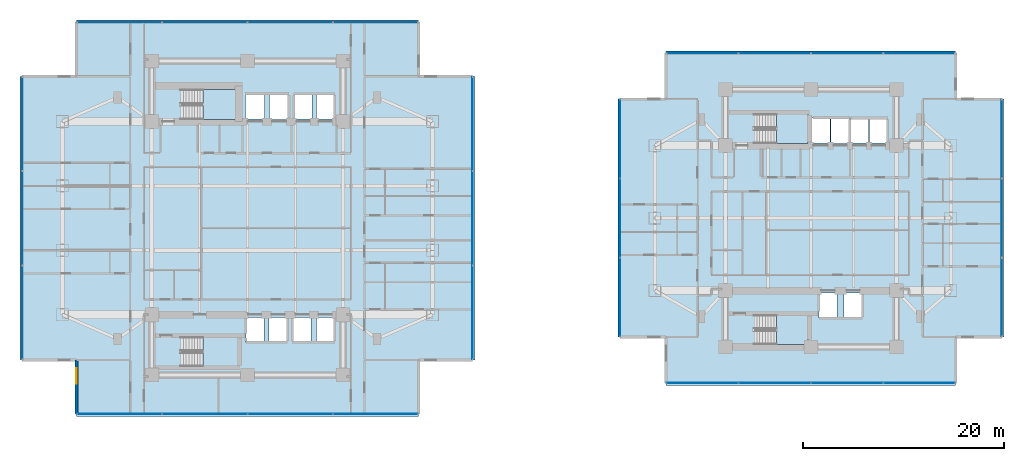
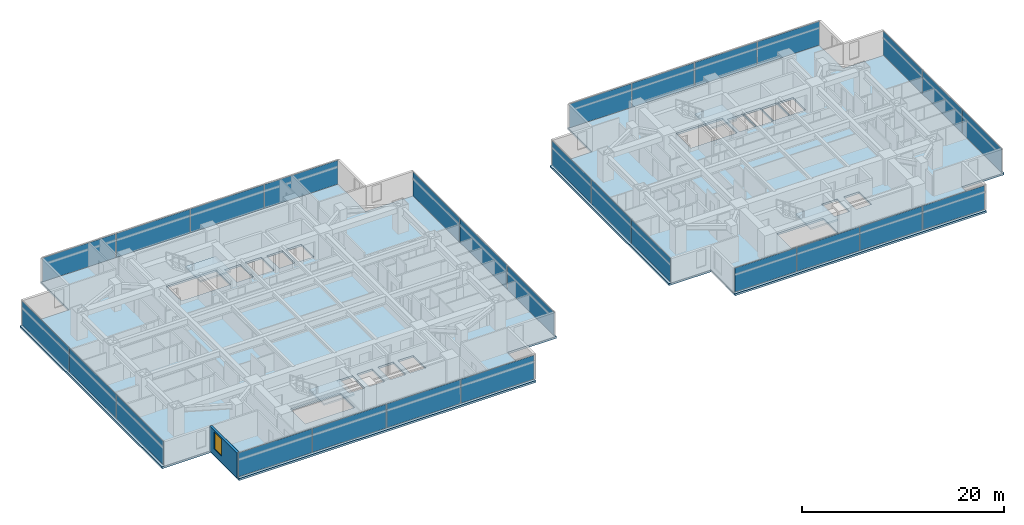
# One storey, part 13 of 26: 28 plates, 6 slabs, 1 wall, 1 window, 1 opening, 12 elements without a shape of their own.
"""IFC4 building model written with IfcOpenShell, lengths in metres."""

from ifc_helpers import new_model, si_unit, direction, frame, frame_2d, origin, origin_2d, place, context, subcontext, project, spatial, polyline, rectangle, outline, extrude, material, layer, layer_set, type_object, element, fill, aggregate, save


model = new_model("IFC4")

# Units and contexts
model_context = context("Model", 3, precision=1e-05, world=origin(), true_north=direction((0.0, 1.0)))
body_context = subcontext(model_context, "Body", "Model", "MODEL_VIEW")
ifc_project = project(units=[si_unit("LENGTHUNIT", "METRE"), si_unit("AREAUNIT", "SQUARE_METRE"), si_unit("VOLUMEUNIT", "CUBIC_METRE"), si_unit("PLANEANGLEUNIT", "RADIAN"), si_unit("MASSUNIT", "GRAM", prefix="KILO")], contexts=[model_context])

# Site, building, storey
site_placement = place(None, origin())
site = spatial("IfcSite", under=ifc_project, at=site_placement, CompositionType="ELEMENT")
building_placement = place(site_placement, origin())
building = spatial("IfcBuilding", under=site, at=building_placement, Name="Mirazonda Arch Towers", CompositionType="ELEMENT")
storey_placement = place(building_placement, frame((0.0, 0.0, 38.89990234375)))
storey = spatial("IfcBuildingStorey", under=building, at=storey_placement, Name="L10", CompositionType="ELEMENT", Elevation=38.89990234375)

# Curtain wall, plates
ifc_material_1 = material(Name="Anodised Aluminium and Low-E Glass", Category="aluminium")
curtain_wall_type = type_object("IfcCurtainWallType", Name="CW-HTL-UNIT", PredefinedType="NOTDEFINED", material=ifc_material_1)
curtain_wall_1_placement = place(storey_placement, origin())
curtain_wall_1 = element("IfcCurtainWall", 1, at=curtain_wall_1_placement, inside=storey, type_object=curtain_wall_type, Name="L10 T1 S Facade CW-L10-T1-S", PredefinedType="NOTDEFINED")
ifc_material_2 = material(Name="Insulated Low-E Solar Glass", Category="glass")
ifc_layer_1 = layer(ifc_material_2, 0.035888671875, Name="PAN-CW-HTL-UNIT")
ifc_layer_set_1 = layer_set([ifc_layer_1], Name="Insulated Low-E Solar Glass")
plate_type = type_object("IfcPlateType", Name="PAN-CW-HTL-UNIT", PredefinedType="CURTAIN_PANEL", material=ifc_layer_set_1)
plate_1_placement = place(storey_placement, frame((33.231201171875, 8.530029296875, 0.0751953125), z_axis=(0.0, 0.0, 1.0), x_axis=(-1.0, 0.0, 0.0)))
plate_1 = element("IfcPlate", 2, at=plate_1_placement, type_object=plate_type, Name="CW-112 panel 1.1", PredefinedType="CURTAIN_PANEL", context=body_context, shape_type="SweptSolid", body=[
    extrude(rectangle(XDim=8.387451171875, YDim=0.035888671875, at=origin_2d()), origin(), (0.0, 0.0, 1.0), 2.889892578125),
])
plate_2_placement = place(storey_placement, frame((24.75, 8.530029296875, 0.0751953125), z_axis=(0.0, 0.0, 1.0), x_axis=(-1.0, 0.0, 0.0)))
plate_2 = element("IfcPlate", 3, at=plate_2_placement, type_object=plate_type, Name="CW-112 panel 2.1", PredefinedType="CURTAIN_PANEL", context=body_context, shape_type="SweptSolid", body=[
    extrude(rectangle(XDim=8.425048828125, YDim=0.035888671875, at=origin_2d()), origin(), (0.0, 0.0, 1.0), 2.889892578125),
])
plate_3_placement = place(storey_placement, frame((16.25, 8.530029296875, 0.0751953125), z_axis=(0.0, 0.0, 1.0), x_axis=(-1.0, 0.0, 0.0)))
plate_3 = element("IfcPlate", 4, at=plate_3_placement, type_object=plate_type, Name="CW-112 panel 3.1", PredefinedType="CURTAIN_PANEL", context=body_context, shape_type="SweptSolid", body=[
    extrude(rectangle(XDim=8.425048828125, YDim=0.035888671875, at=origin_2d()), origin(), (0.0, 0.0, 1.0), 2.889892578125),
])
plate_4_placement = place(storey_placement, frame((7.768798828125, 8.530029296875, 0.0751953125), z_axis=(0.0, 0.0, 1.0), x_axis=(-1.0, 0.0, 0.0)))
plate_4 = element("IfcPlate", 5, at=plate_4_placement, type_object=plate_type, Name="CW-112 panel 4.1", PredefinedType="CURTAIN_PANEL", context=body_context, shape_type="SweptSolid", body=[
    extrude(rectangle(XDim=8.387451171875, YDim=0.035888671875, at=origin_2d()), origin(), (0.0, 0.0, 1.0), 2.889892578125),
])
aggregate(curtain_wall_1, [plate_1, plate_2, plate_3, plate_4])

curtain_wall_2_placement = place(storey_placement, origin())
curtain_wall_2 = element("IfcCurtainWall", 6, at=curtain_wall_2_placement, inside=storey, type_object=curtain_wall_type, Name="L10 T1 E Facade CW-L10-T1-E", PredefinedType="NOTDEFINED")
plate_5_placement = place(storey_placement, frame((42.8798828125, 18.62548828125, 0.0751953125), z_axis=(0.0, 0.0, 1.0), x_axis=(0.0, 1.0, 0.0)))
plate_5 = element("IfcPlate", 7, at=plate_5_placement, type_object=plate_type, Name="CW-112 panel 1.1", PredefinedType="CURTAIN_PANEL", context=body_context, shape_type="SweptSolid", body=[
    extrude(rectangle(XDim=9.28076171875, YDim=0.035888671875, at=origin_2d()), origin(), (0.0, 0.0, 1.0), 2.889892578125),
])
plate_6_placement = place(storey_placement, frame((42.8798828125, 28.0, 0.0751953125), z_axis=(0.0, 0.0, 1.0), x_axis=(0.0, 1.0, 0.0)))
plate_6 = element("IfcPlate", 8, at=plate_6_placement, type_object=plate_type, Name="CW-112 panel 2.1", PredefinedType="CURTAIN_PANEL", context=body_context, shape_type="SweptSolid", body=[
    extrude(rectangle(XDim=9.318359375, YDim=0.035888671875, at=origin_2d()), origin(), (0.0, 0.0, 1.0), 2.889892578125),
])
plate_7_placement = place(storey_placement, frame((42.8798828125, 37.37451171875, 0.0751953125), z_axis=(0.0, 0.0, 1.0), x_axis=(0.0, 1.0, 0.0)))
plate_7 = element("IfcPlate", 9, at=plate_7_placement, type_object=plate_type, Name="CW-112 panel 3.1", PredefinedType="CURTAIN_PANEL", context=body_context, shape_type="SweptSolid", body=[
    extrude(rectangle(XDim=9.28076171875, YDim=0.035888671875, at=origin_2d()), origin(), (0.0, 0.0, 1.0), 2.889892578125),
])
aggregate(curtain_wall_2, [plate_5, plate_6, plate_7])

curtain_wall_3_placement = place(storey_placement, origin())
curtain_wall_3 = element("IfcCurtainWall", 10, at=curtain_wall_3_placement, inside=storey, type_object=curtain_wall_type, Name="L10 T1 N Facade CW-L10-T1-N", PredefinedType="NOTDEFINED")
plate_8_placement = place(storey_placement, frame((7.768798828125, 47.469970703125, 0.0751953125), z_axis=(0.0, 0.0, 1.0), x_axis=(1.0, 0.0, 0.0)))
plate_8 = element("IfcPlate", 11, at=plate_8_placement, type_object=plate_type, Name="CW-112 panel 1.1", PredefinedType="CURTAIN_PANEL", context=body_context, shape_type="SweptSolid", body=[
    extrude(rectangle(XDim=8.387451171875, YDim=0.035888671875, at=origin_2d()), origin(), (0.0, 0.0, 1.0), 2.889892578125),
])
plate_9_placement = place(storey_placement, frame((16.25, 47.469970703125, 0.0751953125), z_axis=(0.0, 0.0, 1.0), x_axis=(1.0, 0.0, 0.0)))
plate_9 = element("IfcPlate", 12, at=plate_9_placement, type_object=plate_type, Name="CW-112 panel 2.1", PredefinedType="CURTAIN_PANEL", context=body_context, shape_type="SweptSolid", body=[
    extrude(rectangle(XDim=8.425048828125, YDim=0.035888671875, at=origin_2d()), origin(), (0.0, 0.0, 1.0), 2.889892578125),
])
plate_10_placement = place(storey_placement, frame((24.75, 47.469970703125, 0.0751953125), z_axis=(0.0, 0.0, 1.0), x_axis=(1.0, 0.0, 0.0)))
plate_10 = element("IfcPlate", 13, at=plate_10_placement, type_object=plate_type, Name="CW-112 panel 3.1", PredefinedType="CURTAIN_PANEL", context=body_context, shape_type="SweptSolid", body=[
    extrude(rectangle(XDim=8.425048828125, YDim=0.035888671875, at=origin_2d()), origin(), (0.0, 0.0, 1.0), 2.889892578125),
])
plate_11_placement = place(storey_placement, frame((33.231201171875, 47.469970703125, 0.0751953125), z_axis=(0.0, 0.0, 1.0), x_axis=(1.0, 0.0, 0.0)))
plate_11 = element("IfcPlate", 14, at=plate_11_placement, type_object=plate_type, Name="CW-112 panel 4.1", PredefinedType="CURTAIN_PANEL", context=body_context, shape_type="SweptSolid", body=[
    extrude(rectangle(XDim=8.387451171875, YDim=0.035888671875, at=origin_2d()), origin(), (0.0, 0.0, 1.0), 2.889892578125),
])
aggregate(curtain_wall_3, [plate_8, plate_9, plate_10, plate_11])

curtain_wall_4_placement = place(storey_placement, origin())
curtain_wall_4 = element("IfcCurtainWall", 15, at=curtain_wall_4_placement, inside=storey, type_object=curtain_wall_type, Name="L10 T1 W Facade CW-L10-T1-W", PredefinedType="NOTDEFINED")
plate_12_placement = place(storey_placement, frame((-1.8798828125, 37.37451171875, 0.0751953125), z_axis=(0.0, 0.0, 1.0), x_axis=(0.0, -1.0, 0.0)))
plate_12 = element("IfcPlate", 16, at=plate_12_placement, type_object=plate_type, Name="CW-112 panel 1.1", PredefinedType="CURTAIN_PANEL", context=body_context, shape_type="SweptSolid", body=[
    extrude(rectangle(XDim=9.28076171875, YDim=0.035888671875, at=origin_2d()), origin(), (0.0, 0.0, 1.0), 2.889892578125),
])
plate_13_placement = place(storey_placement, frame((-1.8798828125, 28.0, 0.0751953125), z_axis=(0.0, 0.0, 1.0), x_axis=(0.0, -1.0, 0.0)))
plate_13 = element("IfcPlate", 17, at=plate_13_placement, type_object=plate_type, Name="CW-112 panel 2.1", PredefinedType="CURTAIN_PANEL", context=body_context, shape_type="SweptSolid", body=[
    extrude(rectangle(XDim=9.318359375, YDim=0.035888671875, at=origin_2d()), origin(), (0.0, 0.0, 1.0), 2.889892578125),
])
plate_14_placement = place(storey_placement, frame((-1.8798828125, 18.62548828125, 0.0751953125), z_axis=(0.0, 0.0, 1.0), x_axis=(0.0, -1.0, 0.0)))
plate_14 = element("IfcPlate", 18, at=plate_14_placement, type_object=plate_type, Name="CW-112 panel 3.1", PredefinedType="CURTAIN_PANEL", context=body_context, shape_type="SweptSolid", body=[
    extrude(rectangle(XDim=9.28076171875, YDim=0.035888671875, at=origin_2d()), origin(), (0.0, 0.0, 1.0), 2.889892578125),
])
aggregate(curtain_wall_4, [plate_12, plate_13, plate_14])

curtain_wall_5_placement = place(storey_placement, origin())
curtain_wall_5 = element("IfcCurtainWall", 19, at=curtain_wall_5_placement, inside=storey, type_object=curtain_wall_type, Name="L10 T2 S Facade CW-L10-T2-S", PredefinedType="NOTDEFINED")
plate_15_placement = place(storey_placement, frame((87.273681640625, 11.603515625, 0.0751953125), z_axis=(0.0, 0.0, 1.0), x_axis=(-1.0, 0.0, 0.0)))
plate_15 = element("IfcPlate", 20, at=plate_15_placement, type_object=plate_type, Name="CW-112 panel 1.1", PredefinedType="CURTAIN_PANEL", context=body_context, shape_type="SweptSolid", body=[
    extrude(rectangle(XDim=7.08251953125, YDim=0.035888671875, at=origin_2d()), origin(), (0.0, 0.0, 1.0), 2.889892578125),
])
plate_16_placement = place(storey_placement, frame((80.097412109375, 11.603515625, 0.0751953125), z_axis=(0.0, 0.0, 1.0), x_axis=(-1.0, 0.0, 0.0)))
plate_16 = element("IfcPlate", 21, at=plate_16_placement, type_object=plate_type, Name="CW-112 panel 2.1", PredefinedType="CURTAIN_PANEL", context=body_context, shape_type="SweptSolid", body=[
    extrude(rectangle(XDim=7.1201171875, YDim=0.035888671875, at=origin_2d()), origin(), (0.0, 0.0, 1.0), 2.889892578125),
])
plate_17_placement = place(storey_placement, frame((72.902587890625, 11.603515625, 0.0751953125), z_axis=(0.0, 0.0, 1.0), x_axis=(-1.0, 0.0, 0.0)))
plate_17 = element("IfcPlate", 22, at=plate_17_placement, type_object=plate_type, Name="CW-112 panel 3.1", PredefinedType="CURTAIN_PANEL", context=body_context, shape_type="SweptSolid", body=[
    extrude(rectangle(XDim=7.1201171875, YDim=0.035888671875, at=origin_2d()), origin(), (0.0, 0.0, 1.0), 2.889892578125),
])
plate_18_placement = place(storey_placement, frame((65.726318359375, 11.603515625, 0.0751953125), z_axis=(0.0, 0.0, 1.0), x_axis=(-1.0, 0.0, 0.0)))
plate_18 = element("IfcPlate", 23, at=plate_18_placement, type_object=plate_type, Name="CW-112 panel 4.1", PredefinedType="CURTAIN_PANEL", context=body_context, shape_type="SweptSolid", body=[
    extrude(rectangle(XDim=7.08251953125, YDim=0.035888671875, at=origin_2d()), origin(), (0.0, 0.0, 1.0), 2.889892578125),
])
aggregate(curtain_wall_5, [plate_15, plate_16, plate_17, plate_18])

curtain_wall_6_placement = place(storey_placement, origin())
curtain_wall_6 = element("IfcCurtainWall", 24, at=curtain_wall_6_placement, inside=storey, type_object=curtain_wall_type, Name="L10 T2 E Facade CW-L10-T2-E", PredefinedType="NOTDEFINED")
plate_19_placement = place(storey_placement, frame((95.469970703125, 20.14111328125, 0.0751953125), z_axis=(0.0, 0.0, 1.0), x_axis=(0.0, 1.0, 0.0)))
plate_19 = element("IfcPlate", 25, at=plate_19_placement, type_object=plate_type, Name="CW-112 panel 1.1", PredefinedType="CURTAIN_PANEL", context=body_context, shape_type="SweptSolid", body=[
    extrude(rectangle(XDim=7.76513671875, YDim=0.035888671875, at=origin_2d()), origin(), (0.0, 0.0, 1.0), 2.889892578125),
])
plate_20_placement = place(storey_placement, frame((95.469970703125, 28.0, 0.0751953125), z_axis=(0.0, 0.0, 1.0), x_axis=(0.0, 1.0, 0.0)))
plate_20 = element("IfcPlate", 26, at=plate_20_placement, type_object=plate_type, Name="CW-112 panel 2.1", PredefinedType="CURTAIN_PANEL", context=body_context, shape_type="SweptSolid", body=[
    extrude(rectangle(XDim=7.802734375, YDim=0.035888671875, at=origin_2d()), origin(), (0.0, 0.0, 1.0), 2.889892578125),
])
plate_21_placement = place(storey_placement, frame((95.469970703125, 35.85888671875, 0.0751953125), z_axis=(0.0, 0.0, 1.0), x_axis=(0.0, 1.0, 0.0)))
plate_21 = element("IfcPlate", 27, at=plate_21_placement, type_object=plate_type, Name="CW-112 panel 3.1", PredefinedType="CURTAIN_PANEL", context=body_context, shape_type="SweptSolid", body=[
    extrude(rectangle(XDim=7.76513671875, YDim=0.035888671875, at=origin_2d()), origin(), (0.0, 0.0, 1.0), 2.889892578125),
])
aggregate(curtain_wall_6, [plate_19, plate_20, plate_21])

curtain_wall_7_placement = place(storey_placement, origin())
curtain_wall_7 = element("IfcCurtainWall", 28, at=curtain_wall_7_placement, inside=storey, type_object=curtain_wall_type, Name="L10 T2 N Facade CW-L10-T2-N", PredefinedType="NOTDEFINED")
plate_22_placement = place(storey_placement, frame((65.726318359375, 44.396484375, 0.0751953125), z_axis=(0.0, 0.0, 1.0), x_axis=(1.0, 0.0, 0.0)))
plate_22 = element("IfcPlate", 29, at=plate_22_placement, type_object=plate_type, Name="CW-112 panel 1.1", PredefinedType="CURTAIN_PANEL", context=body_context, shape_type="SweptSolid", body=[
    extrude(rectangle(XDim=7.08251953125, YDim=0.035888671875, at=origin_2d()), origin(), (0.0, 0.0, 1.0), 2.889892578125),
])
plate_23_placement = place(storey_placement, frame((72.902587890625, 44.396484375, 0.0751953125), z_axis=(0.0, 0.0, 1.0), x_axis=(1.0, 0.0, 0.0)))
plate_23 = element("IfcPlate", 30, at=plate_23_placement, type_object=plate_type, Name="CW-112 panel 2.1", PredefinedType="CURTAIN_PANEL", context=body_context, shape_type="SweptSolid", body=[
    extrude(rectangle(XDim=7.1201171875, YDim=0.035888671875, at=origin_2d()), origin(), (0.0, 0.0, 1.0), 2.889892578125),
])
plate_24_placement = place(storey_placement, frame((80.097412109375, 44.396484375, 0.0751953125), z_axis=(0.0, 0.0, 1.0), x_axis=(1.0, 0.0, 0.0)))
plate_24 = element("IfcPlate", 31, at=plate_24_placement, type_object=plate_type, Name="CW-112 panel 3.1", PredefinedType="CURTAIN_PANEL", context=body_context, shape_type="SweptSolid", body=[
    extrude(rectangle(XDim=7.1201171875, YDim=0.035888671875, at=origin_2d()), origin(), (0.0, 0.0, 1.0), 2.889892578125),
])
plate_25_placement = place(storey_placement, frame((87.273681640625, 44.396484375, 0.0751953125), z_axis=(0.0, 0.0, 1.0), x_axis=(1.0, 0.0, 0.0)))
plate_25 = element("IfcPlate", 32, at=plate_25_placement, type_object=plate_type, Name="CW-112 panel 4.1", PredefinedType="CURTAIN_PANEL", context=body_context, shape_type="SweptSolid", body=[
    extrude(rectangle(XDim=7.08251953125, YDim=0.035888671875, at=origin_2d()), origin(), (0.0, 0.0, 1.0), 2.889892578125),
])
aggregate(curtain_wall_7, [plate_22, plate_23, plate_24, plate_25])

curtain_wall_8_placement = place(storey_placement, origin())
curtain_wall_8 = element("IfcCurtainWall", 33, at=curtain_wall_8_placement, inside=storey, type_object=curtain_wall_type, Name="L10 T2 W Facade CW-L10-T2-W", PredefinedType="NOTDEFINED")
plate_26_placement = place(storey_placement, frame((57.530029296875, 35.85888671875, 0.0751953125), z_axis=(0.0, 0.0, 1.0), x_axis=(0.0, -1.0, 0.0)))
plate_26 = element("IfcPlate", 34, at=plate_26_placement, type_object=plate_type, Name="CW-112 panel 1.1", PredefinedType="CURTAIN_PANEL", context=body_context, shape_type="SweptSolid", body=[
    extrude(rectangle(XDim=7.76513671875, YDim=0.035888671875, at=origin_2d()), origin(), (0.0, 0.0, 1.0), 2.889892578125),
])
plate_27_placement = place(storey_placement, frame((57.530029296875, 28.0, 0.0751953125), z_axis=(0.0, 0.0, 1.0), x_axis=(0.0, -1.0, 0.0)))
plate_27 = element("IfcPlate", 35, at=plate_27_placement, type_object=plate_type, Name="CW-112 panel 2.1", PredefinedType="CURTAIN_PANEL", context=body_context, shape_type="SweptSolid", body=[
    extrude(rectangle(XDim=7.802734375, YDim=0.035888671875, at=origin_2d()), origin(), (0.0, 0.0, 1.0), 2.889892578125),
])
plate_28_placement = place(storey_placement, frame((57.530029296875, 20.14111328125, 0.0751953125), z_axis=(0.0, 0.0, 1.0), x_axis=(0.0, -1.0, 0.0)))
plate_28 = element("IfcPlate", 36, at=plate_28_placement, type_object=plate_type, Name="CW-112 panel 3.1", PredefinedType="CURTAIN_PANEL", context=body_context, shape_type="SweptSolid", body=[
    extrude(rectangle(XDim=7.76513671875, YDim=0.035888671875, at=origin_2d()), origin(), (0.0, 0.0, 1.0), 2.889892578125),
])
aggregate(curtain_wall_8, [plate_26, plate_27, plate_28])

# Stair, slab
ifc_material_3 = material(Name="Concrete C40/50", Category="concrete")
stair_type = type_object("IfcStairType", Name="STAIR-CORE-1400", PredefinedType="HALF_TURN_STAIR", material=ifc_material_3)
stair_1_placement = place(storey_placement, origin())
stair_1 = element("IfcStair", 37, at=stair_1_placement, inside=storey, type_object=stair_type, Name="L10 Protected Exit Stair ST-T1N", PredefinedType="HALF_TURN_STAIR")
ifc_layer_2 = layer(ifc_material_3, 0.18994140625, Name="SLAB-LANDING-190")
ifc_layer_set_2 = layer_set([ifc_layer_2], Name="Concrete C40/50")
slab_type_1 = type_object("IfcSlabType", Name="SLAB-LANDING-190", PredefinedType="LANDING", material=ifc_layer_set_2)
slab_1_placement = place(storey_placement, frame((0.0, 0.0, 1.4501953125)))
slab_1 = element("IfcSlab", 38, at=slab_1_placement, type_object=slab_type_1, Name="ST-T1N landing 1", PredefinedType="LANDING", context=body_context, shape_type="SweptSolid", body=[
    extrude(outline(polyline([(16.090087890625, 37.820068359375), (19.60009765625, 37.820068359375), (19.60009765625, 40.760009765625), (16.090087890625, 40.760009765625), (16.090087890625, 37.820068359375)])), origin(), (0.0, 0.0, 1.0), 0.199951171875),
])
aggregate(stair_1, [slab_1])

stair_2_placement = place(storey_placement, origin())
stair_2 = element("IfcStair", 39, at=stair_2_placement, inside=storey, type_object=stair_type, Name="L10 Protected Exit Stair ST-T1S", PredefinedType="HALF_TURN_STAIR")
slab_2_placement = place(storey_placement, frame((0.0, 0.0, 1.4501953125)))
slab_2 = element("IfcSlab", 40, at=slab_2_placement, type_object=slab_type_1, Name="ST-T1S landing 1", PredefinedType="LANDING", context=body_context, shape_type="SweptSolid", body=[
    extrude(outline(polyline([(16.090087890625, 13.25), (19.60009765625, 13.25), (19.60009765625, 16.18994140625), (16.090087890625, 16.18994140625), (16.090087890625, 13.25)])), origin(), (0.0, 0.0, 1.0), 0.199951171875),
])
aggregate(stair_2, [slab_2])

stair_3_placement = place(storey_placement, origin())
stair_3 = element("IfcStair", 41, at=stair_3_placement, inside=storey, type_object=stair_type, Name="L10 Protected Exit Stair ST-T2N", PredefinedType="HALF_TURN_STAIR")
slab_3_placement = place(storey_placement, frame((0.0, 0.0, 1.4501953125)))
slab_3 = element("IfcSlab", 42, at=slab_3_placement, type_object=slab_type_1, Name="ST-T2N landing 1", PredefinedType="LANDING", context=body_context, shape_type="SweptSolid", body=[
    extrude(outline(polyline([(73.090087890625, 35.419921875), (76.22998046875, 35.419921875), (76.22998046875, 38.360107421875), (73.090087890625, 38.360107421875), (73.090087890625, 35.419921875)])), origin(), (0.0, 0.0, 1.0), 0.199951171875),
])
aggregate(stair_3, [slab_3])

stair_4_placement = place(storey_placement, origin())
stair_4 = element("IfcStair", 43, at=stair_4_placement, inside=storey, type_object=stair_type, Name="L10 Protected Exit Stair ST-T2S", PredefinedType="HALF_TURN_STAIR")
slab_4_placement = place(storey_placement, frame((0.0, 0.0, 1.4501953125)))
slab_4 = element("IfcSlab", 44, at=slab_4_placement, type_object=slab_type_1, Name="ST-T2S landing 1", PredefinedType="LANDING", context=body_context, shape_type="SweptSolid", body=[
    extrude(outline(polyline([(73.090087890625, 15.419921875), (76.22998046875, 15.419921875), (76.22998046875, 18.360107421875), (73.090087890625, 18.360107421875), (73.090087890625, 15.419921875)])), origin(), (0.0, 0.0, 1.0), 0.199951171875),
])
aggregate(stair_4, [slab_4])

# Slabs
ifc_layer_3 = layer(ifc_material_3, 0.239990234375, Name="SLAB-TWR-240")
ifc_layer_set_3 = layer_set([ifc_layer_3], Name="Concrete C40/50")
slab_type_2 = type_object("IfcSlabType", Name="SLAB-TWR-240", PredefinedType="FLOOR", material=ifc_layer_set_3)
slab_5_placement = place(storey_placement, frame((0.0, 0.0, -0.239990234375)))
element("IfcSlab", 45, at=slab_5_placement, inside=storey, type_object=slab_type_2, Name="L10 Tower 1 Floor Slab", PredefinedType="FLOOR", context=body_context, shape_type="SweptSolid", body=[
    extrude(outline(polyline([(3.5, 8.31005859375), (37.5, 8.31005859375), (37.5, 13.909912109375), (43.10009765625, 13.909912109375), (43.10009765625, 42.090087890625), (37.5, 42.090087890625), (37.5, 47.68994140625), (3.5, 47.68994140625), (3.5, 42.090087890625), (-2.10009765625, 42.090087890625), (-2.10009765625, 13.909912109375), (3.5, 13.909912109375), (3.5, 8.31005859375)]), holes=[polyline([(29.139892578125, 18.139892578125), (29.139892578125, 15.659912109375), (27.360107421875, 15.659912109375), (27.360107421875, 18.139892578125), (29.139892578125, 18.139892578125)]), polyline([(29.139892578125, 40.340087890625), (29.139892578125, 37.860107421875), (27.360107421875, 37.860107421875), (27.360107421875, 40.340087890625), (29.139892578125, 40.340087890625)]), polyline([(25.159912109375, 40.340087890625), (26.93994140625, 40.340087890625), (26.93994140625, 37.860107421875), (25.159912109375, 37.860107421875), (25.159912109375, 40.340087890625)]), polyline([(26.840087890625, 18.139892578125), (26.840087890625, 15.659912109375), (25.06005859375, 15.659912109375), (25.06005859375, 18.139892578125), (26.840087890625, 18.139892578125)]), polyline([(22.7099609375, 40.389892578125), (24.590087890625, 40.389892578125), (24.590087890625, 37.81005859375), (22.7099609375, 37.81005859375), (22.7099609375, 40.389892578125)]), polyline([(22.659912109375, 18.139892578125), (24.43994140625, 18.139892578125), (24.43994140625, 15.659912109375), (22.659912109375, 15.659912109375), (22.659912109375, 18.139892578125)]), polyline([(20.31005859375, 40.340087890625), (22.18994140625, 40.340087890625), (22.18994140625, 37.860107421875), (20.31005859375, 37.860107421875), (20.31005859375, 40.340087890625)]), polyline([(20.360107421875, 18.139892578125), (22.139892578125, 18.139892578125), (22.139892578125, 15.659912109375), (20.360107421875, 15.659912109375), (20.360107421875, 18.139892578125)]), polyline([(13.925048828125, 40.760009765625), (19.60009765625, 40.760009765625), (19.60009765625, 37.820068359375), (13.925048828125, 37.820068359375), (13.925048828125, 40.760009765625)]), polyline([(13.925048828125, 13.25), (13.925048828125, 16.18994140625), (19.60009765625, 16.18994140625), (19.60009765625, 13.25), (13.925048828125, 13.25)])]), origin(), (0.0, 0.0, 1.0), 0.239990234375),
])
slab_6_placement = place(storey_placement, frame((0.0, 0.0, -0.239990234375)))
element("IfcSlab", 46, at=slab_6_placement, inside=storey, type_object=slab_type_2, Name="L10 Tower 2 Floor Slab", PredefinedType="FLOOR", context=body_context, shape_type="SweptSolid", body=[
    extrude(outline(polyline([(62.110107421875, 11.383544921875), (90.889892578125, 11.383544921875), (90.889892578125, 16.18359375), (95.68994140625, 16.18359375), (95.68994140625, 39.81640625), (90.889892578125, 39.81640625), (90.889892578125, 44.616455078125), (62.110107421875, 44.616455078125), (62.110107421875, 39.81640625), (57.31005859375, 39.81640625), (57.31005859375, 16.18359375), (62.110107421875, 16.18359375), (62.110107421875, 11.383544921875)]), holes=[polyline([(82.330078125, 37.93994140625), (84.110107421875, 37.93994140625), (84.110107421875, 35.4599609375), (82.330078125, 35.4599609375), (82.330078125, 37.93994140625)]), polyline([(80.449951171875, 37.93994140625), (82.22998046875, 37.93994140625), (82.22998046875, 35.4599609375), (80.449951171875, 35.4599609375), (80.449951171875, 37.93994140625)]), polyline([(79.81005859375, 20.5400390625), (81.590087890625, 20.5400390625), (81.590087890625, 18.06005859375), (79.81005859375, 18.06005859375), (79.81005859375, 20.5400390625)]), polyline([(78.47998046875, 37.989990234375), (80.360107421875, 37.989990234375), (80.360107421875, 35.409912109375), (78.47998046875, 35.409912109375), (78.47998046875, 37.989990234375)]), polyline([(77.31005859375, 20.5400390625), (79.090087890625, 20.5400390625), (79.090087890625, 18.06005859375), (77.31005859375, 18.06005859375), (77.31005859375, 20.5400390625)]), polyline([(76.510009765625, 37.93994140625), (78.389892578125, 37.93994140625), (78.389892578125, 35.4599609375), (76.510009765625, 35.4599609375), (76.510009765625, 37.93994140625)]), polyline([(70.925048828125, 15.419921875), (70.925048828125, 18.360107421875), (76.22998046875, 18.360107421875), (76.22998046875, 15.419921875), (70.925048828125, 15.419921875)]), polyline([(70.925048828125, 35.419921875), (70.925048828125, 38.360107421875), (76.22998046875, 38.360107421875), (76.22998046875, 35.419921875), (70.925048828125, 35.419921875)])]), origin(), (0.0, 0.0, 1.0), 0.239990234375),
])

# Wall, opening, window
ifc_material_4 = material(Name="Precast Concrete C40/50", Category="concrete")
ifc_layer_4 = layer(ifc_material_4, 0.280029296875, Name="WALL-EXT-WALL-280")
ifc_layer_set_4 = layer_set([ifc_layer_4], Name="Precast Concrete C40/50")
wall_type = type_object("IfcWallType", Name="WALL-EXT-WALL-280", PredefinedType="SOLIDWALL", material=ifc_layer_set_4)
wall_placement = place(storey_placement, frame((3.5, 13.909912109375, 0.0), z_axis=(0.0, 0.0, 1.0), x_axis=(0.0, -1.0, 0.0)))
wall = element("IfcWall", 47, at=wall_placement, inside=storey, type_object=wall_type, Name="L10 T1 Notched SW Corner Wall WL-L10-T1-CSW", PredefinedType="SOLIDWALL", context=body_context, shape_type="SweptSolid", body=[
    extrude(rectangle(XDim=5.3798828125, YDim=0.280029296875, at=frame_2d((2.68994140625, 0.0))), origin(), (0.0, 0.0, 1.0), 3.0400390625),
])
opening_placement = place(wall_placement, frame((0.85009765625, 0.0, 0.7900390625)))
opening = element("IfcOpeningElement", 48, at=opening_placement, cuts=wall, Name="Opening WN-120", PredefinedType="OPENING", context=body_context, shape_type="SweptSolid", body=[
    extrude(rectangle(XDim=1.5, YDim=2.10009765625, at=frame_2d((0.75, 1.050048828125))), frame((0.0, 0.14990234375, 0.0), z_axis=(0.0, -1.0, 0.0), x_axis=(1.0, 0.0, 0.0)), (0.0, 0.0, 1.0), 0.300048828125),
])
window_type = type_object("IfcWindowType", Name="WIN-HTL-1500x2100", PartitioningType="SINGLE_PANEL", PredefinedType="WINDOW", material=ifc_material_2)
window_placement = place(opening_placement, origin())
window = element("IfcWindow", 49, at=window_placement, inside=storey, type_object=window_type, Name="L10 Punched Facade Window WN-L10-T1-CSW", OverallHeight=2.10009765625, OverallWidth=1.5, PartitioningType="SINGLE_PANEL", PredefinedType="WINDOW", context=body_context, shape_type="SweptSolid", body=[
    extrude(rectangle(XDim=1.5, YDim=2.10009765625, at=frame_2d((0.75, 1.050048828125))), frame((0.0, 0.030029296875, 0.0), z_axis=(0.0, -1.0, 0.0), x_axis=(1.0, 0.0, 0.0)), (0.0, 0.0, 1.0), 0.06005859375),
])
fill(opening, window)

save(model, "model.ifc")
